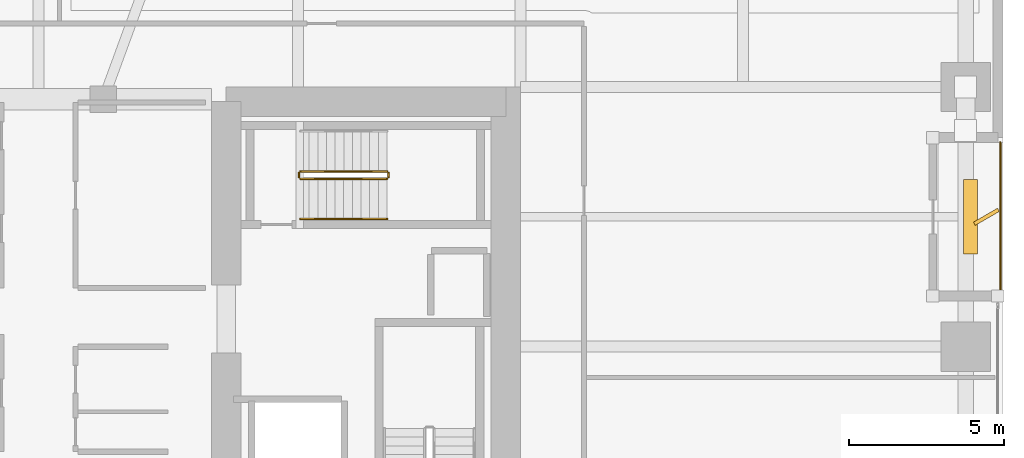
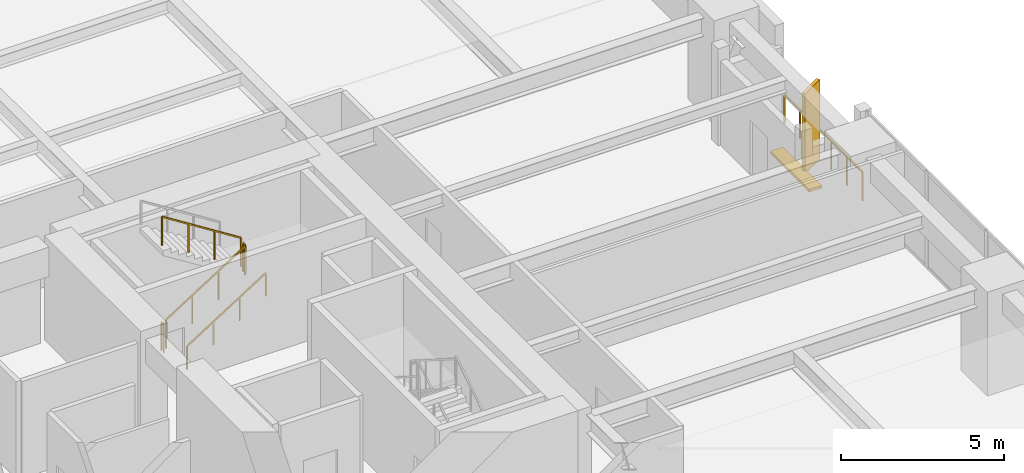
# One storey, part 28 of 29: 6 railings, 2 shading devices.
"""IFC4 building model written with IfcOpenShell, lengths in metres."""

from ifc_helpers import new_model, si_unit, direction, frame, origin, origin_2d, place, context, subcontext, project, spatial, rectangle, extrude, material, type_object, element, save


model = new_model("IFC4")

# Units and contexts
model_context = context("Model", 3, precision=1e-05, world=origin(), true_north=direction((0.0, 1.0)))
body_context = subcontext(model_context, "Body", "Model", "MODEL_VIEW")
ifc_project = project(units=[si_unit("LENGTHUNIT", "METRE"), si_unit("AREAUNIT", "SQUARE_METRE"), si_unit("VOLUMEUNIT", "CUBIC_METRE"), si_unit("PLANEANGLEUNIT", "RADIAN"), si_unit("MASSUNIT", "GRAM", prefix="KILO")], contexts=[model_context])

# Site, building, storey
site_placement = place(None, origin())
site = spatial("IfcSite", under=ifc_project, at=site_placement, CompositionType="ELEMENT")
building_placement = place(site_placement, origin())
building = spatial("IfcBuilding", under=site, at=building_placement, Name="Kiyonajd Concourse Tower", CompositionType="ELEMENT")
storey_placement = place(building_placement, frame((0.0, 0.0, 25.5)))
storey = spatial("IfcBuildingStorey", under=building, at=storey_placement, Name="L07", CompositionType="ELEMENT", Elevation=25.5)

# Railings
ifc_material_1 = material(Name="Thermally Broken Anodised Aluminium", Category="aluminium")
railing_type_1 = type_object("IfcRailingType", Name="RL-GRD-LOG", PredefinedType="GUARDRAIL", material=ifc_material_1)
railing_1_placement = place(storey_placement, frame((79.1201171875, 37.800048828125, 0.0)))
element("IfcRailing", 1, at=railing_1_placement, inside=storey, type_object=railing_type_1, Name="L07 Engawa Loggia Perimeter Guard LOG-E", PredefinedType="GUARDRAIL", context=body_context, shape_type="SweptSolid", body=[
    extrude(rectangle(XDim=0.048095703125, YDim=0.048095703125, at=origin_2d()), frame((0.0, 0.0, 1.076171875), z_axis=(0.0, 1.0, 0.0), x_axis=(-1.0, 0.0, 0.0)), (0.0, 0.0, 1.0), 4.800048828125),
    extrude(rectangle(XDim=0.0419921875, YDim=0.0419921875, at=origin_2d()), origin(), (0.0, 0.0, 1.0), 1.052001953125),
    extrude(rectangle(XDim=0.0419921875, YDim=0.0419921875, at=origin_2d()), frame((0.0, 0.9599609375, 0.0)), (0.0, 0.0, 1.0), 1.052001953125),
    extrude(rectangle(XDim=0.0419921875, YDim=0.0419921875, at=origin_2d()), frame((0.0, 1.919921875, 0.0)), (0.0, 0.0, 1.0), 1.052001953125),
    extrude(rectangle(XDim=0.0419921875, YDim=0.0419921875, at=origin_2d()), frame((0.0, 2.880126953125, 0.0)), (0.0, 0.0, 1.0), 1.052001953125),
    extrude(rectangle(XDim=0.0419921875, YDim=0.0419921875, at=origin_2d()), frame((0.0, 3.840087890625, 0.0)), (0.0, 0.0, 1.0), 1.052001953125),
    extrude(rectangle(XDim=0.0419921875, YDim=0.0419921875, at=origin_2d()), frame((0.0, 4.800048828125, 0.0)), (0.0, 0.0, 1.0), 1.052001953125),
])
ifc_material_2 = material(Name="Steel ASTM A500 Grade C", Category="steel")
railing_type_2 = type_object("IfcRailingType", Name="RL-GRD-STR", PredefinedType="GUARDRAIL", material=ifc_material_2)
railing_2_placement = place(storey_placement, frame((56.47998046875, 41.429931640625, 0.17724609375)))
element("IfcRailing", 2, at=railing_2_placement, inside=storey, type_object=railing_type_2, Name="L07 ST3 stair guard 1", PredefinedType="GUARDRAIL", context=body_context, shape_type="SweptSolid", body=[
    extrude(rectangle(XDim=0.048095703125, YDim=0.048095703125, at=origin_2d()), frame((0.0, 0.0, 1.076171875), z_axis=(0.844908973607, 0.0, 0.534910110503), x_axis=(0.0, 1.0, 0.0)), (0.0, 0.0, 1.0), 3.31396484375),
    extrude(rectangle(XDim=0.0419921875, YDim=0.0419921875, at=origin_2d()), origin(), (0.0, 0.0, 1.0), 1.052001953125),
    extrude(rectangle(XDim=0.0419921875, YDim=0.0419921875, at=origin_2d()), frame((0.933349609375, 0.0, 0.5908203125)), (0.0, 0.0, 1.0), 1.052001953125),
    extrude(rectangle(XDim=0.0419921875, YDim=0.0419921875, at=origin_2d()), frame((1.86669921875, 0.0, 1.181884765625)), (0.0, 0.0, 1.0), 1.052001953125),
    extrude(rectangle(XDim=0.0419921875, YDim=0.0419921875, at=origin_2d()), frame((2.800048828125, 0.0, 1.772705078125)), (0.0, 0.0, 1.0), 1.052001953125),
])
railing_3_placement = place(storey_placement, frame((59.330078125, 41.47998046875, 1.949951171875)))
element("IfcRailing", 3, at=railing_3_placement, inside=storey, type_object=railing_type_2, Name="L07 ST3 stair guard 2", PredefinedType="GUARDRAIL", context=body_context, shape_type="SweptSolid", body=[
    extrude(rectangle(XDim=0.048095703125, YDim=0.048095703125, at=origin_2d()), frame((0.0, 0.0, 1.076171875), z_axis=(0.0, 1.0, 0.0), x_axis=(-1.0, 0.0, 0.0)), (0.0, 0.0, 1.0), 0.14013671875),
    extrude(rectangle(XDim=0.0419921875, YDim=0.0419921875, at=origin_2d()), origin(), (0.0, 0.0, 1.0), 1.052001953125),
    extrude(rectangle(XDim=0.0419921875, YDim=0.0419921875, at=origin_2d()), frame((0.0, 0.14013671875, 0.0)), (0.0, 0.0, 1.0), 1.052001953125),
])
railing_4_placement = place(storey_placement, frame((59.280029296875, 41.669921875, 2.127197265625)))
element("IfcRailing", 4, at=railing_4_placement, inside=storey, type_object=railing_type_2, Name="L07 ST3 stair guard 3", PredefinedType="GUARDRAIL", context=body_context, shape_type="SweptSolid", body=[
    extrude(rectangle(XDim=0.048095703125, YDim=0.048095703125, at=origin_2d()), frame((0.0, 0.0, 1.076171875), z_axis=(-0.844908973607, 0.0, 0.534910110503), x_axis=(0.0, -1.0, 0.0)), (0.0, 0.0, 1.0), 3.31396484375),
    extrude(rectangle(XDim=0.0419921875, YDim=0.0419921875, at=origin_2d()), origin(), (0.0, 0.0, 1.0), 1.052001953125),
    extrude(rectangle(XDim=0.0419921875, YDim=0.0419921875, at=origin_2d()), frame((-0.933349609375, 0.0, 0.5908203125)), (0.0, 0.0, 1.0), 1.052001953125),
    extrude(rectangle(XDim=0.0419921875, YDim=0.0419921875, at=origin_2d()), frame((-1.86669921875, 0.0, 1.181884765625)), (0.0, 0.0, 1.0), 1.052001953125),
    extrude(rectangle(XDim=0.0419921875, YDim=0.0419921875, at=origin_2d()), frame((-2.800048828125, 0.0, 1.772705078125)), (0.0, 0.0, 1.0), 1.052001953125),
])
railing_5_placement = place(storey_placement, frame((56.429931640625, 41.47998046875, 0.0)))
element("IfcRailing", 5, at=railing_5_placement, inside=storey, type_object=railing_type_2, Name="L07 ST3 stair guard 4", PredefinedType="GUARDRAIL", context=body_context, shape_type="SweptSolid", body=[
    extrude(rectangle(XDim=0.048095703125, YDim=0.048095703125, at=origin_2d()), frame((0.0, 0.0, 1.076171875), z_axis=(0.0, 1.0, 0.0), x_axis=(-1.0, 0.0, 0.0)), (0.0, 0.0, 1.0), 0.14013671875),
    extrude(rectangle(XDim=0.0419921875, YDim=0.0419921875, at=origin_2d()), origin(), (0.0, 0.0, 1.0), 1.052001953125),
    extrude(rectangle(XDim=0.0419921875, YDim=0.0419921875, at=origin_2d()), frame((0.0, 0.14013671875, 0.0)), (0.0, 0.0, 1.0), 1.052001953125),
])
ifc_material_3 = material(Name="Brushed Stainless Steel Cab Assembly", Category="steel")
railing_type_3 = type_object("IfcRailingType", Name="RL-HND-900", PredefinedType="HANDRAIL", material=ifc_material_3)
railing_6_placement = place(storey_placement, frame((56.47998046875, 40.1298828125, 0.17724609375)))
element("IfcRailing", 6, at=railing_6_placement, inside=storey, type_object=railing_type_3, Name="L07 ST3 stair handrail 1", PredefinedType="HANDRAIL", context=body_context, shape_type="SweptSolid", body=[
    extrude(rectangle(XDim=0.048095703125, YDim=0.048095703125, at=origin_2d()), frame((0.0, 0.0, 0.8759765625), z_axis=(0.844908973607, 0.0, 0.534910110503), x_axis=(0.0, 1.0, 0.0)), (0.0, 0.0, 1.0), 3.31396484375),
    extrude(rectangle(XDim=0.0419921875, YDim=0.0419921875, at=origin_2d()), origin(), (0.0, 0.0, 1.0), 0.851806640625),
    extrude(rectangle(XDim=0.0419921875, YDim=0.0419921875, at=origin_2d()), frame((0.933349609375, 0.0, 0.5908203125)), (0.0, 0.0, 1.0), 0.851806640625),
    extrude(rectangle(XDim=0.0419921875, YDim=0.0419921875, at=origin_2d()), frame((1.86669921875, 0.0, 1.181884765625)), (0.0, 0.0, 1.0), 0.851806640625),
    extrude(rectangle(XDim=0.0419921875, YDim=0.0419921875, at=origin_2d()), frame((2.800048828125, 0.0, 1.772705078125)), (0.0, 0.0, 1.0), 0.851806640625),
])

# Shading devices
ifc_material_4 = material(Name="Precast concrete C50/60", Category="concrete")
shading_device_type_1 = type_object("IfcShadingDeviceType", Name="SH-FIN-900", PredefinedType="USERDEFINED", material=ifc_material_4)
shading_device_1_placement = place(storey_placement, frame((78.669921875, 40.199951171875, 0.0), z_axis=(0.0, 0.0, 1.0), x_axis=(0.866025403784, 0.5, 0.0)))
element("IfcShadingDevice", 7, at=shading_device_1_placement, inside=storey, type_object=shading_device_type_1, Name="L07 Angled Koshi Solar Fin LOG-E", ObjectType="FIN", PredefinedType="USERDEFINED", context=body_context, shape_type="SweptSolid", body=[
    extrude(rectangle(XDim=0.89990234375, YDim=0.1201171875, at=origin_2d()), origin(), (0.0, 0.0, 1.0), 3.0),
])
shading_device_type_2 = type_object("IfcShadingDeviceType", Name="SH-LVR-600", PredefinedType="JALOUSIE", material=ifc_material_1)
shading_device_2_placement = place(storey_placement, frame((78.14990234375, 40.199951171875, 0.0), z_axis=(0.0, 0.0, 1.0), x_axis=(0.0, 1.0, 0.0)))
element("IfcShadingDevice", 8, at=shading_device_2_placement, inside=storey, type_object=shading_device_type_2, Name="L07 Loggia Threshold Louver LOG-E", PredefinedType="JALOUSIE", context=body_context, shape_type="SweptSolid", body=[
    extrude(rectangle(XDim=2.39990234375, YDim=0.449951171875, at=origin_2d()), origin(), (0.0, 0.0, 1.0), 0.10009765625),
])

save(model, "model.ifc")
